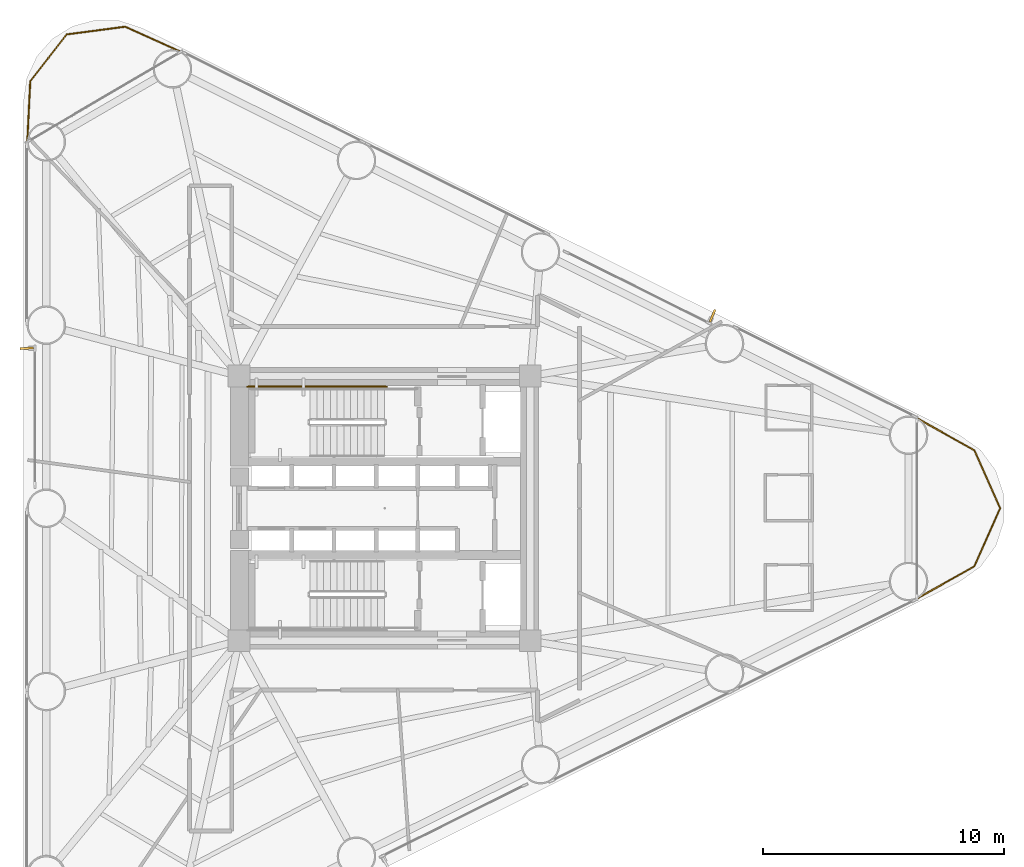
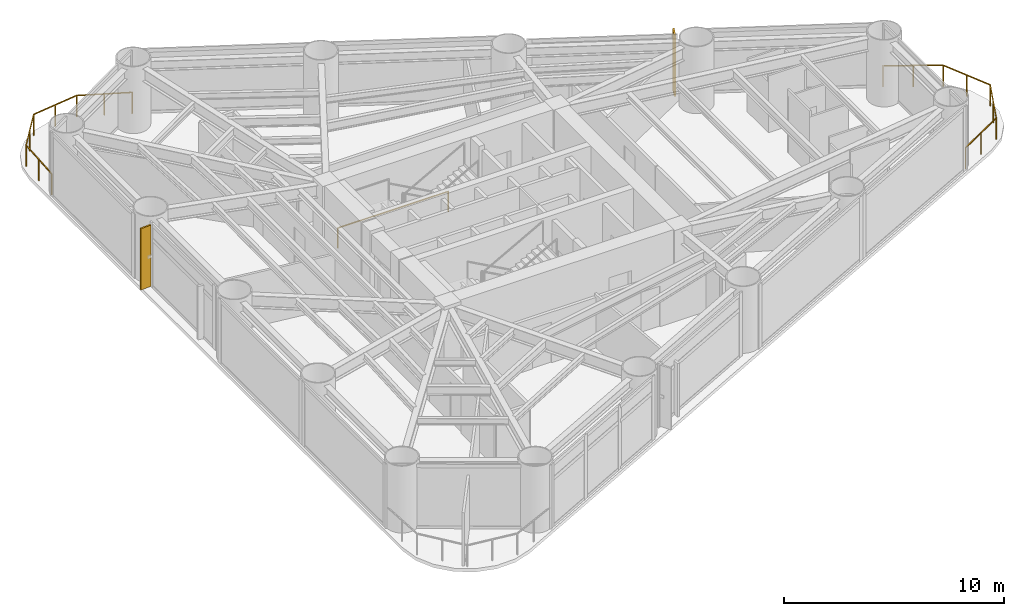
# One storey, part 10 of 10: 3 railings, 2 shading devices.
"""IFC4 building model written with IfcOpenShell, lengths in metres."""

from ifc_helpers import new_model, si_unit, direction, frame, origin, origin_2d, place, context, subcontext, project, spatial, rectangle, extrude, source, transform, mapped, material, material_profile, profile_set, type_object, element, save


model = new_model("IFC4")

# Units and contexts
model_context = context("Model", 3, precision=1e-05, world=origin(), true_north=direction((0.0, 1.0)))
body_context = subcontext(model_context, "Body", "Model", "MODEL_VIEW")
ifc_project = project(units=[si_unit("LENGTHUNIT", "METRE"), si_unit("AREAUNIT", "SQUARE_METRE"), si_unit("VOLUMEUNIT", "CUBIC_METRE"), si_unit("PLANEANGLEUNIT", "RADIAN"), si_unit("MASSUNIT", "GRAM", prefix="KILO")], contexts=[model_context])

# Site, building, storey
site_placement = place(None, origin())
site = spatial("IfcSite", under=ifc_project, at=site_placement, CompositionType="ELEMENT")
building_placement = place(site_placement, origin())
building = spatial("IfcBuilding", under=site, at=building_placement, Name="Yunling Apex Tower", CompositionType="ELEMENT")
storey_placement = place(building_placement, frame((0.0, 0.0, 38.60009765625)))
storey = spatial("IfcBuildingStorey", under=building, at=storey_placement, Name="L11", CompositionType="ELEMENT", Elevation=38.60009765625)

# Railings
ifc_material_1 = material(Name="Bronze anodised aluminium", Category="aluminium")
railing_type_1 = type_object("IfcRailingType", Name="RL-BAL-1200", PredefinedType="BALUSTRADE", material=ifc_material_1)
railing_1_placement = place(storey_placement, frame((22.1181640625, 3.74609375, 0.0)))
element("IfcRailing", 1, at=railing_1_placement, inside=storey, type_object=railing_type_1, Name="RL-CRNSILL-L11-1", PredefinedType="BALUSTRADE", context=body_context, shape_type="SweptSolid", body=[
    extrude(rectangle(XDim=0.0439453125, YDim=0.0439453125, at=origin_2d()), origin(), (0.0, 0.0, 1.0), 1.199951171875),
    extrude(rectangle(XDim=0.0439453125, YDim=0.0439453125, at=origin_2d()), frame((2.380615234375, -1.3349609375, 0.0)), (0.0, 0.0, 1.0), 1.199951171875),
    extrude(rectangle(XDim=0.050048828125, YDim=0.050048828125, at=origin_2d()), frame((0.033447265625, -0.018798828125, 1.1748046875), z_axis=(0.872222158118, -0.48910991289, 0.0), x_axis=(0.48910991289, 0.872222158118, 0.0)), (0.0, 0.0, 1.0), 2.652587890625),
    extrude(rectangle(XDim=0.0439453125, YDim=0.0439453125, at=origin_2d()), frame((1.1904296875, -0.66748046875, 0.0)), (0.0, 0.0, 1.0), 1.14599609375),
    extrude(rectangle(XDim=0.0439453125, YDim=0.0439453125, at=origin_2d()), frame((3.45263671875, -3.74609375, 0.0)), (0.0, 0.0, 1.0), 1.199951171875),
    extrude(rectangle(XDim=0.050048828125, YDim=0.050048828125, at=origin_2d()), frame((2.396240234375, -1.369873046875, 1.1748046875), z_axis=(0.406267230745, -0.913754309004, 0.0), x_axis=(0.913754309004, 0.406267230745, 0.0)), (0.0, 0.0, 1.0), 2.56201171875),
    extrude(rectangle(XDim=0.0439453125, YDim=0.0439453125, at=origin_2d()), frame((2.91650390625, -2.54052734375, 0.0)), (0.0, 0.0, 1.0), 1.14599609375),
    extrude(rectangle(XDim=0.0439453125, YDim=0.0439453125, at=origin_2d()), frame((2.380615234375, -6.1572265625, 0.0)), (0.0, 0.0, 1.0), 1.199951171875),
    extrude(rectangle(XDim=0.050048828125, YDim=0.050048828125, at=origin_2d()), frame((3.43701171875, -3.781005859375, 1.1748046875), z_axis=(-0.406267230745, -0.913754309004, 0.0), x_axis=(0.913754309004, -0.406267230745, 0.0)), (0.0, 0.0, 1.0), 2.56201171875),
    extrude(rectangle(XDim=0.0439453125, YDim=0.0439453125, at=origin_2d()), frame((2.91650390625, -4.95166015625, 0.0)), (0.0, 0.0, 1.0), 1.14599609375),
    extrude(rectangle(XDim=0.0439453125, YDim=0.0439453125, at=origin_2d()), frame((0.0, -7.4921875, 0.0)), (0.0, 0.0, 1.0), 1.199951171875),
    extrude(rectangle(XDim=0.050048828125, YDim=0.050048828125, at=origin_2d()), frame((2.34716796875, -6.176025390625, 1.1748046875), z_axis=(-0.872222158118, -0.48910991289, 0.0), x_axis=(0.48910991289, -0.872222158118, 0.0)), (0.0, 0.0, 1.0), 2.652587890625),
    extrude(rectangle(XDim=0.0439453125, YDim=0.0439453125, at=origin_2d()), frame((1.1904296875, -6.82470703125, 0.0)), (0.0, 0.0, 1.0), 1.14599609375),
])
railing_2_placement = place(storey_placement, frame((-14.842041015625, 15.218994140625, 0.0)))
element("IfcRailing", 2, at=railing_2_placement, inside=storey, type_object=railing_type_1, Name="RL-CRNSILL-L11-2", PredefinedType="BALUSTRADE", context=body_context, shape_type="SweptSolid", body=[
    extrude(rectangle(XDim=0.0439453125, YDim=0.0439453125, at=origin_2d()), origin(), (0.0, 0.0, 1.0), 1.199951171875),
    extrude(rectangle(XDim=0.0439453125, YDim=0.0439453125, at=origin_2d()), frame((0.1240234375, 2.52783203125, 0.0)), (0.0, 0.0, 1.0), 1.199951171875),
    extrude(rectangle(XDim=0.050048828125, YDim=0.050048828125, at=origin_2d()), frame((0.001953125, 0.038330078125, 1.1748046875), z_axis=(0.049004218115, 0.998798571588, 0.0), x_axis=(-0.998798571588, 0.049004218115, 0.0)), (0.0, 0.0, 1.0), 2.4541015625),
    extrude(rectangle(XDim=0.0439453125, YDim=0.0439453125, at=origin_2d()), frame((0.06201171875, 1.263916015625, 0.0)), (0.0, 0.0, 1.0), 1.14599609375),
    extrude(rectangle(XDim=0.0439453125, YDim=0.0439453125, at=origin_2d()), frame((1.640625, 4.469482421875, 0.0)), (0.0, 0.0, 1.0), 1.199951171875),
    extrude(rectangle(XDim=0.050048828125, YDim=0.050048828125, at=origin_2d()), frame((0.147705078125, 2.55810546875, 1.1748046875), z_axis=(0.615565197226, 0.788085964832, 0.0), x_axis=(-0.788085964832, 0.615565197226, 0.0)), (0.0, 0.0, 1.0), 2.38720703125),
    extrude(rectangle(XDim=0.0439453125, YDim=0.0439453125, at=origin_2d()), frame((0.88232421875, 3.49853515625, 0.0)), (0.0, 0.0, 1.0), 1.14599609375),
    extrude(rectangle(XDim=0.0439453125, YDim=0.0439453125, at=origin_2d()), frame((4.075439453125, 4.7890625, 0.0)), (0.0, 0.0, 1.0), 1.199951171875),
    extrude(rectangle(XDim=0.050048828125, YDim=0.050048828125, at=origin_2d()), frame((1.6787109375, 4.474365234375, 1.1748046875), z_axis=(0.991495866646, 0.130138182035, 0.0), x_axis=(-0.130138182035, 0.991495866646, 0.0)), (0.0, 0.0, 1.0), 2.379150390625),
    extrude(rectangle(XDim=0.0439453125, YDim=0.0439453125, at=origin_2d()), frame((2.85791015625, 4.62939453125, 0.0)), (0.0, 0.0, 1.0), 1.14599609375),
    extrude(rectangle(XDim=0.0439453125, YDim=0.0439453125, at=origin_2d()), frame((6.382568359375, 3.74609375, 0.0)), (0.0, 0.0, 1.0), 1.199951171875),
    extrude(rectangle(XDim=0.050048828125, YDim=0.050048828125, at=origin_2d()), frame((4.1103515625, 4.773193359375, 1.1748046875), z_axis=(0.911216522497, -0.411927723186, 0.0), x_axis=(0.411927723186, 0.911216522497, 0.0)), (0.0, 0.0, 1.0), 2.455322265625),
    extrude(rectangle(XDim=0.0439453125, YDim=0.0439453125, at=origin_2d()), frame((5.22900390625, 4.267578125, 0.0)), (0.0, 0.0, 1.0), 1.14599609375),
])
ifc_material_2 = material(Name="Steel Q355B", Category="steel")
railing_type_2 = type_object("IfcRailingType", Name="RL-GRD-1150", PredefinedType="GUARDRAIL", material=ifc_material_2)
railing_3_placement = place(storey_placement, frame((0.090087890625, 5.06005859375, 0.0)))
element("IfcRailing", 3, at=railing_3_placement, inside=storey, type_object=railing_type_2, Name="L11 ST-1 stair guard 7", PredefinedType="GUARDRAIL", context=body_context, shape_type="SweptSolid", body=[
    extrude(rectangle(XDim=0.0439453125, YDim=0.0439453125, at=origin_2d()), origin(), (0.0, 0.0, 1.0), 1.14990234375),
    extrude(rectangle(XDim=0.0439453125, YDim=0.0439453125, at=origin_2d()), frame((-5.7900390625, 0.0, 0.0)), (0.0, 0.0, 1.0), 1.14990234375),
    extrude(rectangle(XDim=0.050048828125, YDim=0.050048828125, at=origin_2d()), frame((-0.038330078125, 0.0, 1.125), z_axis=(-1.0, 0.0, 0.0), x_axis=(0.0, -1.0, 0.0)), (0.0, 0.0, 1.0), 5.71337890625),
])

# Shading devices
ifc_material_profile = material_profile(ifc_material_1, rectangle(XDim=0.0849609375, YDim=0.550048828125, at=origin_2d()))
ifc_profile_set = profile_set([ifc_material_profile], Name="Bronze anodised aluminium")
shading_device_type = type_object("IfcShadingDeviceType", Name="FN-BRZ-3", PredefinedType="USERDEFINED", material=ifc_profile_set)
shared_shape = source(origin(), body_context, "Body", "SweptSolid", [
    extrude(rectangle(XDim=0.0849609375, YDim=0.550048828125, at=origin_2d()), origin(), (0.0, 0.0, 1.0), 3.39501953125),
])
for number, where, z_axis, x_axis, name in (
    (4, (13.623291015625, 8.002197265625, 0.059814453125), (0.0, 0.0, 1.0), (-0.922470722095, 0.386067049717, 0.0), "CW-L11-F2-B2-FIN-01"),
    (5, (-14.866943359375, 6.64697265625, 0.059814453125), (0.0, 0.0, 1.0), (0.06540312923, -0.997858923239, 0.0), "CW-L11-F3-B2-FIN-01"),
):
    element("IfcShadingDevice", number, at=place(storey_placement, frame(where, z_axis=z_axis, x_axis=x_axis)), inside=storey, type_object=shading_device_type, Name=name, ObjectType="FIN", PredefinedType="USERDEFINED", context=body_context, shape_type="MappedRepresentation", body=[
        mapped(shared_shape, transform((0.0, 0.0, 0.0), scale=1.0)),
    ])

save(model, "model.ifc")
